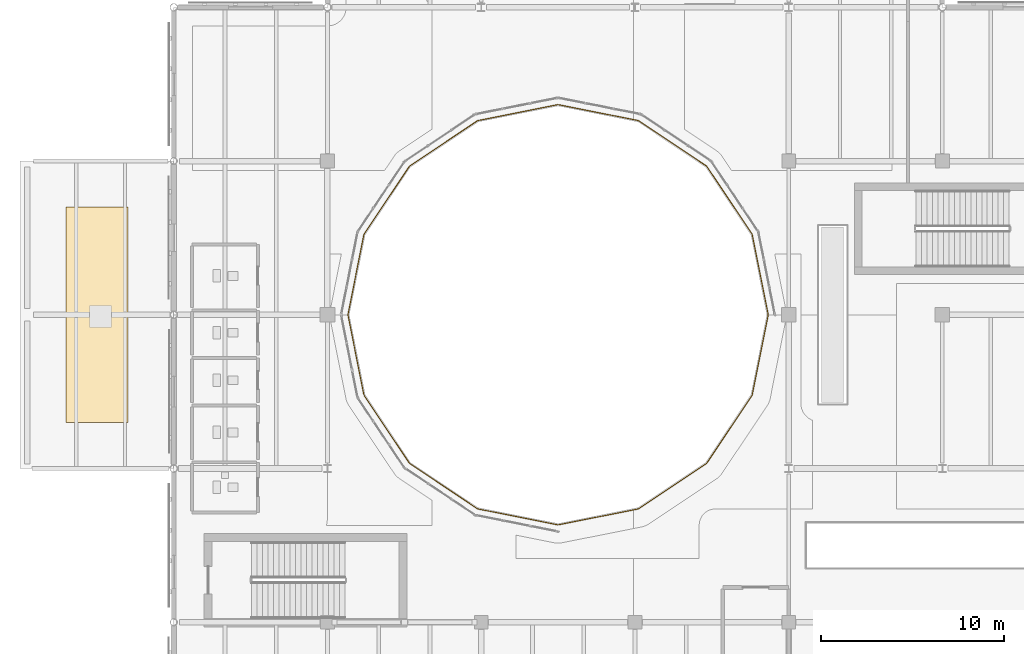
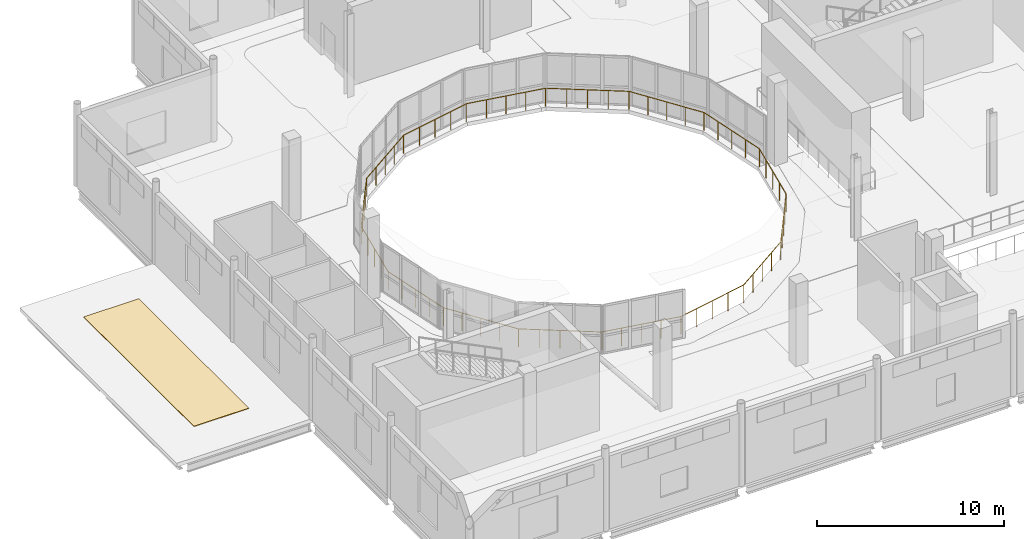
# One storey, part 95 of 110: 1 covering, 1 railing.
"""IFC4 building model written with IfcOpenShell, lengths in metres."""

from ifc_helpers import new_model, si_unit, direction, frame, origin, origin_2d, place, context, subcontext, project, spatial, polyline, circle, outline, extrude, material, layer, layer_set, type_object, element, save


model = new_model("IFC4")

# Units and contexts
model_context = context("Model", 3, precision=1e-05, world=origin(), true_north=direction((0.0, 1.0)))
body_context = subcontext(model_context, "Body", "Model", "MODEL_VIEW")
ifc_project = project(units=[si_unit("LENGTHUNIT", "METRE"), si_unit("AREAUNIT", "SQUARE_METRE"), si_unit("VOLUMEUNIT", "CUBIC_METRE"), si_unit("PLANEANGLEUNIT", "RADIAN"), si_unit("MASSUNIT", "GRAM", prefix="KILO"), si_unit("THERMODYNAMICTEMPERATUREUNIT", "KELVIN")], contexts=[model_context])

# Site, building, storey
site_placement = place(None, origin())
site = spatial("IfcSite", under=ifc_project, at=site_placement, CompositionType="ELEMENT")
building_placement = place(site_placement, origin())
building = spatial("IfcBuilding", under=site, at=building_placement, Name="Lustrewick Department Store", CompositionType="ELEMENT")
storey_placement = place(building_placement, frame((0.0, 0.0, 6.0)))
storey = spatial("IfcBuildingStorey", under=building, at=storey_placement, Name="L02", CompositionType="ELEMENT", Elevation=6.0)

# Covering
ifc_material_1 = material(Name="Single-ply TPO insulated roofing membrane", Category="plastic")
ifc_layer = layer(ifc_material_1, 0.034912109375, Name="Single-ply TPO insulated roofing membrane")
ifc_layer_set = layer_set([ifc_layer], Name="Single-ply TPO insulated roofing membrane")
covering_type = type_object("IfcCoveringType", Name="COV-ROOF", PredefinedType="ROOFING", material=ifc_layer_set)
covering_placement = place(storey_placement, origin())
element("IfcCovering", 1, at=covering_placement, inside=storey, type_object=covering_type, Name="L02 TPO Roof Membrane 07", PredefinedType="ROOFING", context=body_context, shape_type="SweptSolid", body=[
    extrude(outline(polyline([(5.89990234375, 73.10009765625), (2.5, 73.10009765625), (2.5, 61.300048828125), (5.89990234375, 61.300048828125), (5.89990234375, 73.10009765625)])), origin(), (0.0, 0.0, 1.0), 0.034912109375),
])

# Railing
ifc_material_2 = material(Name="Laminated safety glass and bronze atrium balustrade", Category="glass")
railing_type = type_object("IfcRailingType", Name="RL-BAL", PredefinedType="BALUSTRADE", material=ifc_material_2)
railing_placement = place(storey_placement, frame((40.87841796875, 67.184326171875, 0.0)))
element("IfcRailing", 2, at=railing_placement, inside=storey, type_object=railing_type, Name="L02 Atrium Void Balustrade 0013", PredefinedType="BALUSTRADE", context=body_context, shape_type="SweptSolid", body=[
    extrude(circle(Radius=0.02392578125, at=origin_2d()), frame((0.0, 0.0, 1.17578125), z_axis=(-0.195071045556, -0.980789114533, 0.0), x_axis=(0.980789114533, -0.195071045556, 0.0)), (0.0, 0.0, 1.0), 4.447998046875),
    extrude(circle(Radius=0.02392578125, at=origin_2d()), frame((-0.86767578125, -4.362548828125, 1.17578125), z_axis=(-0.249878019022, -0.968277323709, 0.0), x_axis=(0.968277323709, -0.249878019022, 0.0)), (0.0, 0.0, 1.0), 0.0078125),
    extrude(circle(Radius=0.02392578125, at=origin_2d()), frame((-0.86962890625, -4.3701171875, 1.17578125), z_axis=(-0.344254649158, -0.938876315887, 0.0), x_axis=(0.938876315887, -0.344254649158, 0.0)), (0.0, 0.0, 1.0), 0.0078125),
    extrude(circle(Radius=0.02392578125, at=origin_2d()), frame((-0.872314453125, -4.37744140625, 1.17578125), z_axis=(-0.434749065831, -0.900551636365, 0.0), x_axis=(0.900551636365, -0.434749065831, 0.0)), (0.0, 0.0, 1.0), 0.0078125),
    extrude(circle(Radius=0.02392578125, at=origin_2d()), frame((-0.875732421875, -4.384521484375, 1.17578125), z_axis=(-0.496138938357, -0.868243142124, 0.0), x_axis=(0.868243142124, -0.496138938357, 0.0)), (0.0, 0.0, 1.0), 0.0078125),
    extrude(circle(Radius=0.02392578125, at=origin_2d()), frame((-0.879638671875, -4.391357421875, 1.17578125), z_axis=(-0.555561194947, -0.831475651279, 0.0), x_axis=(0.831475651279, -0.555561194947, 0.0)), (0.0, 0.0, 1.0), 4.447998046875),
    extrude(circle(Radius=0.02392578125, at=origin_2d()), frame((-3.350830078125, -8.08984375, 1.17578125), z_axis=(-0.60971076085, -0.792623989105, 0.0), x_axis=(0.792623989105, -0.60971076085, 0.0)), (0.0, 0.0, 1.0), 0.008056640625),
    extrude(circle(Radius=0.02392578125, at=origin_2d()), frame((-3.355712890625, -8.09619140625, 1.17578125), z_axis=(-0.674269364021, -0.738485493928, 0.0), x_axis=(0.738485493928, -0.674269364021, 0.0)), (0.0, 0.0, 1.0), 0.007568359375),
    extrude(circle(Radius=0.02392578125, at=origin_2d()), frame((-3.36083984375, -8.101806640625, 1.17578125), z_axis=(-0.737154140201, -0.675724628517, 0.0), x_axis=(0.675724628517, -0.737154140201, 0.0)), (0.0, 0.0, 1.0), 0.008056640625),
    extrude(circle(Radius=0.02392578125, at=origin_2d()), frame((-3.36669921875, -8.107177734375, 1.17578125), z_axis=(-0.807391122258, -0.590016589342, 0.0), x_axis=(0.590016589342, -0.807391122258, 0.0)), (0.0, 0.0, 1.0), 0.0078125),
    extrude(circle(Radius=0.02392578125, at=origin_2d()), frame((-3.373046875, -8.11181640625, 1.17578125), z_axis=(-0.831475651279, -0.555561194947, 0.0), x_axis=(0.555561194947, -0.831475651279, 0.0)), (0.0, 0.0, 1.0), 4.447998046875),
    extrude(circle(Radius=0.02392578125, at=origin_2d()), frame((-7.071533203125, -10.5830078125, 1.17578125), z_axis=(-0.84623284009, -0.532813269686, 0.0), x_axis=(0.532813269686, -0.84623284009, 0.0)), (0.0, 0.0, 1.0), 0.0078125),
    extrude(circle(Radius=0.02392578125, at=origin_2d()), frame((-7.078125, -10.587158203125, 1.17578125), z_axis=(-0.912509324515, -0.409055904093, 0.0), x_axis=(0.409055904093, -0.912509324515, 0.0)), (0.0, 0.0, 1.0), 0.0078125),
    extrude(circle(Radius=0.02392578125, at=origin_2d()), frame((-7.085205078125, -10.59033203125, 1.17578125), z_axis=(-0.938876315887, -0.344254649158, 0.0), x_axis=(0.344254649158, -0.938876315887, 0.0)), (0.0, 0.0, 1.0), 0.0078125),
    extrude(circle(Radius=0.02392578125, at=origin_2d()), frame((-7.092529296875, -10.593017578125, 1.17578125), z_axis=(-0.968277323709, -0.249878019022, 0.0), x_axis=(0.249878019022, -0.968277323709, 0.0)), (0.0, 0.0, 1.0), 0.0078125),
    extrude(circle(Radius=0.02392578125, at=origin_2d()), frame((-7.10009765625, -10.594970703125, 1.17578125), z_axis=(-0.980780701472, -0.195113340444, 0.0), x_axis=(0.195113340444, -0.980780701472, 0.0)), (0.0, 0.0, 1.0), 4.4482421875),
    extrude(circle(Radius=0.02392578125, at=origin_2d()), frame((-11.462890625, -11.462890625, 1.17578125), z_axis=(-0.992277876714, -0.124034734589, 0.0), x_axis=(0.124034734589, -0.992277876714, 0.0)), (0.0, 0.0, 1.0), 0.0078125),
    extrude(circle(Radius=0.02392578125, at=origin_2d()), frame((-11.470703125, -11.4638671875, 1.17578125), z_axis=(-0.998052578483, -0.062378286155, 0.0), x_axis=(0.062378286155, -0.998052578483, 0.0)), (0.0, 0.0, 1.0), 0.0078125),
    extrude(circle(Radius=0.02392578125, at=origin_2d()), frame((-11.478515625, -11.46435546875, 1.17578125), z_axis=(-0.998052578483, 0.062378286155, 0.0), x_axis=(-0.062378286155, -0.998052578483, 0.0)), (0.0, 0.0, 1.0), 0.0078125),
    extrude(circle(Radius=0.02392578125, at=origin_2d()), frame((-11.486328125, -11.4638671875, 1.17578125), z_axis=(-0.991777866634, 0.12797133763, 0.0), x_axis=(-0.12797133763, -0.991777866634, 0.0)), (0.0, 0.0, 1.0), 0.007568359375),
    extrude(circle(Radius=0.02392578125, at=origin_2d()), frame((-11.493896484375, -11.462890625, 1.17578125), z_axis=(-0.980780701472, 0.195113340444, 0.0), x_axis=(-0.195113340444, -0.980780701472, 0.0)), (0.0, 0.0, 1.0), 4.4482421875),
    extrude(circle(Radius=0.02392578125, at=origin_2d()), frame((-15.856689453125, -10.594970703125, 1.17578125), z_axis=(-0.968277323709, 0.249878019022, 0.0), x_axis=(-0.249878019022, -0.968277323709, 0.0)), (0.0, 0.0, 1.0), 0.0078125),
    extrude(circle(Radius=0.02392578125, at=origin_2d()), frame((-15.8642578125, -10.593017578125, 1.17578125), z_axis=(-0.938876315887, 0.344254649158, 0.0), x_axis=(-0.344254649158, -0.938876315887, 0.0)), (0.0, 0.0, 1.0), 0.0078125),
    extrude(circle(Radius=0.02392578125, at=origin_2d()), frame((-15.87158203125, -10.59033203125, 1.17578125), z_axis=(-0.912509324515, 0.409055904093, 0.0), x_axis=(-0.409055904093, -0.912509324515, 0.0)), (0.0, 0.0, 1.0), 0.0078125),
    extrude(circle(Radius=0.02392578125, at=origin_2d()), frame((-15.878662109375, -10.587158203125, 1.17578125), z_axis=(-0.854787515222, 0.518978134242, 0.0), x_axis=(-0.518978134242, -0.854787515222, 0.0)), (0.0, 0.0, 1.0), 0.008056640625),
    extrude(circle(Radius=0.02392578125, at=origin_2d()), frame((-15.885498046875, -10.5830078125, 1.17578125), z_axis=(-0.831458709496, 0.555586549876, 0.0), x_axis=(-0.555586549876, -0.831458709496, 0.0)), (0.0, 0.0, 1.0), 4.447998046875),
    extrude(circle(Radius=0.02392578125, at=origin_2d()), frame((-19.583740234375, -8.11181640625, 1.17578125), z_axis=(-0.817806419301, 0.575493406175, 0.0), x_axis=(-0.575493406175, -0.817806419301, 0.0)), (0.0, 0.0, 1.0), 0.008056640625),
    extrude(circle(Radius=0.02392578125, at=origin_2d()), frame((-19.59033203125, -8.107177734375, 1.17578125), z_axis=(-0.722641857148, 0.691222645967, 0.0), x_axis=(-0.691222645967, -0.722641857148, 0.0)), (0.0, 0.0, 1.0), 0.0078125),
    extrude(circle(Radius=0.02392578125, at=origin_2d()), frame((-19.595947265625, -8.101806640625, 1.17578125), z_axis=(-0.691222645967, 0.722641857148, 0.0), x_axis=(-0.722641857148, -0.691222645967, 0.0)), (0.0, 0.0, 1.0), 0.0078125),
    extrude(circle(Radius=0.02392578125, at=origin_2d()), frame((-19.601318359375, -8.09619140625, 1.17578125), z_axis=(-0.590016589342, 0.807391122258, 0.0), x_axis=(-0.807391122258, -0.590016589342, 0.0)), (0.0, 0.0, 1.0), 0.0078125),
    extrude(circle(Radius=0.02392578125, at=origin_2d()), frame((-19.60595703125, -8.08984375, 1.17578125), z_axis=(-0.555561194947, 0.831475651279, 0.0), x_axis=(-0.831475651279, -0.555561194947, 0.0)), (0.0, 0.0, 1.0), 4.447998046875),
    extrude(circle(Radius=0.02392578125, at=origin_2d()), frame((-22.0771484375, -4.391357421875, 1.17578125), z_axis=(-0.518978134242, 0.854787515222, 0.0), x_axis=(-0.854787515222, -0.518978134242, 0.0)), (0.0, 0.0, 1.0), 0.008056640625),
    extrude(circle(Radius=0.02392578125, at=origin_2d()), frame((-22.081298828125, -4.384521484375, 1.17578125), z_axis=(-0.409055904093, 0.912509324515, 0.0), x_axis=(-0.912509324515, -0.409055904093, 0.0)), (0.0, 0.0, 1.0), 0.0078125),
    extrude(circle(Radius=0.02392578125, at=origin_2d()), frame((-22.08447265625, -4.37744140625, 1.17578125), z_axis=(-0.344254649158, 0.938876315887, 0.0), x_axis=(-0.938876315887, -0.344254649158, 0.0)), (0.0, 0.0, 1.0), 0.0078125),
    extrude(circle(Radius=0.02392578125, at=origin_2d()), frame((-22.087158203125, -4.3701171875, 1.17578125), z_axis=(-0.249878019022, 0.968277323709, 0.0), x_axis=(-0.968277323709, -0.249878019022, 0.0)), (0.0, 0.0, 1.0), 0.0078125),
    extrude(circle(Radius=0.02392578125, at=origin_2d()), frame((-22.089111328125, -4.362548828125, 1.17578125), z_axis=(-0.195123843826, 0.980778611905, 0.0), x_axis=(-0.980778611905, -0.195123843826, 0.0)), (0.0, 0.0, 1.0), 4.447998046875),
    extrude(circle(Radius=0.02392578125, at=origin_2d()), frame((-22.95703125, 0.0, 1.17578125), z_axis=(-0.124034734589, 0.992277876714, 0.0), x_axis=(-0.992277876714, -0.124034734589, 0.0)), (0.0, 0.0, 1.0), 0.0078125),
    extrude(circle(Radius=0.02392578125, at=origin_2d()), frame((-22.9580078125, 0.0078125, 1.17578125), z_axis=(-0.062378286155, 0.998052578483, 0.0), x_axis=(-0.998052578483, -0.062378286155, 0.0)), (0.0, 0.0, 1.0), 0.0078125),
    extrude(circle(Radius=0.02392578125, at=origin_2d()), frame((-22.95849609375, 0.015625, 1.17578125), z_axis=(0.062378286155, 0.998052578483, 0.0), x_axis=(-0.998052578483, 0.062378286155, 0.0)), (0.0, 0.0, 1.0), 0.0078125),
    extrude(circle(Radius=0.02392578125, at=origin_2d()), frame((-22.9580078125, 0.0234375, 1.17578125), z_axis=(0.124034734589, 0.992277876714, 0.0), x_axis=(-0.992277876714, 0.124034734589, 0.0)), (0.0, 0.0, 1.0), 0.0078125),
    extrude(circle(Radius=0.02392578125, at=origin_2d()), frame((-22.95703125, 0.03125, 1.17578125), z_axis=(0.195123843826, 0.980778611905, 0.0), x_axis=(-0.980778611905, 0.195123843826, 0.0)), (0.0, 0.0, 1.0), 4.447998046875),
    extrude(circle(Radius=0.02392578125, at=origin_2d()), frame((-22.089111328125, 4.393798828125, 1.17578125), z_axis=(0.249878019022, 0.968277323709, 0.0), x_axis=(-0.968277323709, 0.249878019022, 0.0)), (0.0, 0.0, 1.0), 0.0078125),
    extrude(circle(Radius=0.02392578125, at=origin_2d()), frame((-22.087158203125, 4.4013671875, 1.17578125), z_axis=(0.334409845171, 0.942427745481, 0.0), x_axis=(-0.942427745481, 0.334409845171, 0.0)), (0.0, 0.0, 1.0), 0.008056640625),
    extrude(circle(Radius=0.02392578125, at=origin_2d()), frame((-22.08447265625, 4.408935546875, 1.17578125), z_axis=(0.409055904093, 0.912509324515, 0.0), x_axis=(-0.912509324515, 0.409055904093, 0.0)), (0.0, 0.0, 1.0), 0.0078125),
    extrude(circle(Radius=0.02392578125, at=origin_2d()), frame((-22.081298828125, 4.416015625, 1.17578125), z_axis=(0.532813269686, 0.84623284009, 0.0), x_axis=(-0.84623284009, 0.532813269686, 0.0)), (0.0, 0.0, 1.0), 0.0078125),
    extrude(circle(Radius=0.02392578125, at=origin_2d()), frame((-22.0771484375, 4.422607421875, 1.17578125), z_axis=(0.555561194947, 0.831475651279, 0.0), x_axis=(-0.831475651279, 0.555561194947, 0.0)), (0.0, 0.0, 1.0), 4.447998046875),
    extrude(circle(Radius=0.02392578125, at=origin_2d()), frame((-19.60595703125, 8.12109375, 1.17578125), z_axis=(0.590016589342, 0.807391122258, 0.0), x_axis=(-0.807391122258, 0.590016589342, 0.0)), (0.0, 0.0, 1.0), 0.0078125),
    extrude(circle(Radius=0.02392578125, at=origin_2d()), frame((-19.601318359375, 8.12744140625, 1.17578125), z_axis=(0.675724628517, 0.737154140201, 0.0), x_axis=(-0.737154140201, 0.675724628517, 0.0)), (0.0, 0.0, 1.0), 0.008056640625),
    extrude(circle(Radius=0.02392578125, at=origin_2d()), frame((-19.595947265625, 8.13330078125, 1.17578125), z_axis=(0.738485493928, 0.674269364021, 0.0), x_axis=(-0.674269364021, 0.738485493928, 0.0)), (0.0, 0.0, 1.0), 0.007568359375),
    extrude(circle(Radius=0.02392578125, at=origin_2d()), frame((-19.59033203125, 8.138427734375, 1.17578125), z_axis=(0.817806419301, 0.575493406175, 0.0), x_axis=(-0.575493406175, 0.817806419301, 0.0)), (0.0, 0.0, 1.0), 0.008056640625),
    extrude(circle(Radius=0.02392578125, at=origin_2d()), frame((-19.583740234375, 8.14306640625, 1.17578125), z_axis=(0.831458709496, 0.555586549876, 0.0), x_axis=(-0.555586549876, 0.831458709496, 0.0)), (0.0, 0.0, 1.0), 4.447998046875),
    extrude(circle(Radius=0.02392578125, at=origin_2d()), frame((-15.885498046875, 10.6142578125, 1.17578125), z_axis=(0.854787515222, 0.518978134242, 0.0), x_axis=(-0.518978134242, 0.854787515222, 0.0)), (0.0, 0.0, 1.0), 0.008056640625),
    extrude(circle(Radius=0.02392578125, at=origin_2d()), frame((-15.878662109375, 10.618408203125, 1.17578125), z_axis=(0.900551636365, 0.434749065831, 0.0), x_axis=(-0.434749065831, 0.900551636365, 0.0)), (0.0, 0.0, 1.0), 0.0078125),
    extrude(circle(Radius=0.02392578125, at=origin_2d()), frame((-15.87158203125, 10.621826171875, 1.17578125), z_axis=(0.938876315887, 0.344254649158, 0.0), x_axis=(-0.344254649158, 0.938876315887, 0.0)), (0.0, 0.0, 1.0), 0.0078125),
    extrude(circle(Radius=0.02392578125, at=origin_2d()), frame((-15.8642578125, 10.62451171875, 1.17578125), z_axis=(0.968277323709, 0.249878019022, 0.0), x_axis=(-0.249878019022, 0.968277323709, 0.0)), (0.0, 0.0, 1.0), 0.0078125),
    extrude(circle(Radius=0.02392578125, at=origin_2d()), frame((-15.856689453125, 10.62646484375, 1.17578125), z_axis=(0.980791202991, 0.195060544792, 0.0), x_axis=(-0.195060544792, 0.980791202991, 0.0)), (0.0, 0.0, 1.0), 4.4482421875),
    extrude(circle(Radius=0.02392578125, at=origin_2d()), frame((-11.493896484375, 11.494140625, 1.17578125), z_axis=(0.987241120713, 0.159232438825, 0.0), x_axis=(-0.159232438825, 0.987241120713, 0.0)), (0.0, 0.0, 1.0), 0.007568359375),
    extrude(circle(Radius=0.02392578125, at=origin_2d()), frame((-11.486328125, 11.495361328125, 1.17578125), z_axis=(0.999512076087, 0.031234752378, 0.0), x_axis=(-0.031234752378, 0.999512076087, 0.0)), (0.0, 0.0, 1.0), 0.0078125),
    extrude(circle(Radius=0.02392578125, at=origin_2d()), frame((-11.478515625, 11.49560546875, 1.17578125), z_axis=(0.999512076087, -0.031234752378, 0.0), x_axis=(0.031234752378, 0.999512076087, 0.0)), (0.0, 0.0, 1.0), 0.0078125),
    extrude(circle(Radius=0.02392578125, at=origin_2d()), frame((-11.470703125, 11.495361328125, 1.17578125), z_axis=(0.988012033751, -0.154376880274, 0.0), x_axis=(0.154376880274, 0.988012033751, 0.0)), (0.0, 0.0, 1.0), 0.0078125),
    extrude(circle(Radius=0.02392578125, at=origin_2d()), frame((-11.462890625, 11.494140625, 1.17578125), z_axis=(0.980791202991, -0.195060544792, 0.0), x_axis=(0.195060544792, 0.980791202991, 0.0)), (0.0, 0.0, 1.0), 4.4482421875),
    extrude(circle(Radius=0.02392578125, at=origin_2d()), frame((-7.10009765625, 10.62646484375, 1.17578125), z_axis=(0.968277323709, -0.249878019022, 0.0), x_axis=(0.249878019022, 0.968277323709, 0.0)), (0.0, 0.0, 1.0), 0.0078125),
    extrude(circle(Radius=0.02392578125, at=origin_2d()), frame((-7.092529296875, 10.62451171875, 1.17578125), z_axis=(0.938876315887, -0.344254649158, 0.0), x_axis=(0.344254649158, 0.938876315887, 0.0)), (0.0, 0.0, 1.0), 0.0078125),
    extrude(circle(Radius=0.02392578125, at=origin_2d()), frame((-7.085205078125, 10.621826171875, 1.17578125), z_axis=(0.900551636365, -0.434749065831, 0.0), x_axis=(0.434749065831, 0.900551636365, 0.0)), (0.0, 0.0, 1.0), 0.0078125),
    extrude(circle(Radius=0.02392578125, at=origin_2d()), frame((-7.078125, 10.618408203125, 1.17578125), z_axis=(0.84623284009, -0.532813269686, 0.0), x_axis=(0.532813269686, 0.84623284009, 0.0)), (0.0, 0.0, 1.0), 0.0078125),
    extrude(circle(Radius=0.02392578125, at=origin_2d()), frame((-7.071533203125, 10.6142578125, 1.17578125), z_axis=(0.831475651279, -0.555561194947, 0.0), x_axis=(0.555561194947, 0.831475651279, 0.0)), (0.0, 0.0, 1.0), 4.447998046875),
    extrude(circle(Radius=0.02392578125, at=origin_2d()), frame((-3.373046875, 8.14306640625, 1.17578125), z_axis=(0.807391122258, -0.590016589342, 0.0), x_axis=(0.590016589342, 0.807391122258, 0.0)), (0.0, 0.0, 1.0), 0.0078125),
    extrude(circle(Radius=0.02392578125, at=origin_2d()), frame((-3.36669921875, 8.138427734375, 1.17578125), z_axis=(0.752576694707, -0.658504607869, 0.0), x_axis=(0.658504607869, 0.752576694707, 0.0)), (0.0, 0.0, 1.0), 0.0078125),
    extrude(circle(Radius=0.02392578125, at=origin_2d()), frame((-3.36083984375, 8.13330078125, 1.17578125), z_axis=(0.658504607869, -0.752576694707, 0.0), x_axis=(0.752576694707, 0.658504607869, 0.0)), (0.0, 0.0, 1.0), 0.0078125),
    extrude(circle(Radius=0.02392578125, at=origin_2d()), frame((-3.355712890625, 8.12744140625, 1.17578125), z_axis=(0.60971076085, -0.792623989105, 0.0), x_axis=(0.792623989105, 0.60971076085, 0.0)), (0.0, 0.0, 1.0), 0.008056640625),
    extrude(circle(Radius=0.02392578125, at=origin_2d()), frame((-3.350830078125, 8.12109375, 1.17578125), z_axis=(0.555561194947, -0.831475651279, 0.0), x_axis=(0.831475651279, 0.555561194947, 0.0)), (0.0, 0.0, 1.0), 4.447998046875),
    extrude(circle(Radius=0.02392578125, at=origin_2d()), frame((-0.879638671875, 4.422607421875, 1.17578125), z_axis=(0.509802390302, -0.860291533634, 0.0), x_axis=(0.860291533634, 0.509802390302, 0.0)), (0.0, 0.0, 1.0), 0.007568359375),
    extrude(circle(Radius=0.02392578125, at=origin_2d()), frame((-0.875732421875, 4.416015625, 1.17578125), z_axis=(0.434749065831, -0.900551636365, 0.0), x_axis=(0.900551636365, 0.434749065831, 0.0)), (0.0, 0.0, 1.0), 0.0078125),
    extrude(circle(Radius=0.02392578125, at=origin_2d()), frame((-0.872314453125, 4.408935546875, 1.17578125), z_axis=(0.334409845171, -0.942427745481, 0.0), x_axis=(0.942427745481, 0.334409845171, 0.0)), (0.0, 0.0, 1.0), 0.008056640625),
    extrude(circle(Radius=0.02392578125, at=origin_2d()), frame((-0.86962890625, 4.4013671875, 1.17578125), z_axis=(0.249878019022, -0.968277323709, 0.0), x_axis=(0.968277323709, 0.249878019022, 0.0)), (0.0, 0.0, 1.0), 0.0078125),
    extrude(circle(Radius=0.02392578125, at=origin_2d()), frame((-0.86767578125, 4.393798828125, 1.17578125), z_axis=(0.195071045556, -0.980789114533, 0.0), x_axis=(0.980789114533, 0.195071045556, 0.0)), (0.0, 0.0, 1.0), 4.447998046875),
    extrude(circle(Radius=0.02392578125, at=origin_2d()), frame((0.0, 0.03125, 1.17578125), z_axis=(0.154376880274, -0.988012033751, 0.0), x_axis=(0.988012033751, 0.154376880274, 0.0)), (0.0, 0.0, 1.0), 0.0078125),
    extrude(circle(Radius=0.02392578125, at=origin_2d()), frame((0.001220703125, 0.0234375, 1.17578125), z_axis=(0.031234752378, -0.999512076087, 0.0), x_axis=(0.999512076087, 0.031234752378, 0.0)), (0.0, 0.0, 1.0), 0.0078125),
    extrude(circle(Radius=0.02392578125, at=origin_2d()), frame((0.00146484375, 0.015625, 1.17578125), z_axis=(-0.031234752378, -0.999512076087, 0.0), x_axis=(0.999512076087, -0.031234752378, 0.0)), (0.0, 0.0, 1.0), 0.0078125),
    extrude(circle(Radius=0.02392578125, at=origin_2d()), frame((0.001220703125, 0.0078125, 1.17578125), z_axis=(-0.154376880274, -0.988012033751, 0.0), x_axis=(0.988012033751, -0.154376880274, 0.0)), (0.0, 0.0, 1.0), 0.0078125),
    extrude(circle(Radius=0.02099609375, at=origin_2d()), origin(), (0.0, 0.0, 1.0), 1.15185546875),
    extrude(circle(Radius=0.02099609375, at=origin_2d()), frame((-0.216796875, -1.090576171875, 0.0)), (0.0, 0.0, 1.0), 1.15185546875),
    extrude(circle(Radius=0.02099609375, at=origin_2d()), frame((-0.433837890625, -2.18115234375, 0.0)), (0.0, 0.0, 1.0), 1.15185546875),
    extrude(circle(Radius=0.02099609375, at=origin_2d()), frame((-0.65087890625, -3.27197265625, 0.0)), (0.0, 0.0, 1.0), 1.15185546875),
    extrude(circle(Radius=0.02099609375, at=origin_2d()), frame((-0.86767578125, -4.362548828125, 0.0)), (0.0, 0.0, 1.0), 1.15185546875),
    extrude(circle(Radius=0.02099609375, at=origin_2d()), frame((-1.49755859375, -5.31591796875, 0.0)), (0.0, 0.0, 1.0), 1.15185546875),
    extrude(circle(Radius=0.02099609375, at=origin_2d()), frame((-2.115234375, -6.24072265625, 0.0)), (0.0, 0.0, 1.0), 1.15185546875),
    extrude(circle(Radius=0.02099609375, at=origin_2d()), frame((-2.73291015625, -7.165283203125, 0.0)), (0.0, 0.0, 1.0), 1.15185546875),
    extrude(circle(Radius=0.02099609375, at=origin_2d()), frame((-3.350830078125, -8.08984375, 0.0)), (0.0, 0.0, 1.0), 1.15185546875),
    extrude(circle(Radius=0.02099609375, at=origin_2d()), frame((-4.297607421875, -8.7294921875, 0.0)), (0.0, 0.0, 1.0), 1.15185546875),
    extrude(circle(Radius=0.02099609375, at=origin_2d()), frame((-5.22216796875, -9.347412109375, 0.0)), (0.0, 0.0, 1.0), 1.15185546875),
    extrude(circle(Radius=0.02099609375, at=origin_2d()), frame((-6.14697265625, -9.96533203125, 0.0)), (0.0, 0.0, 1.0), 1.15185546875),
    extrude(circle(Radius=0.02099609375, at=origin_2d()), frame((-7.071533203125, -10.5830078125, 0.0)), (0.0, 0.0, 1.0), 1.15185546875),
    extrude(circle(Radius=0.02099609375, at=origin_2d()), frame((-8.19091796875, -10.81201171875, 0.0)), (0.0, 0.0, 1.0), 1.15185546875),
    extrude(circle(Radius=0.02099609375, at=origin_2d()), frame((-9.281494140625, -11.02880859375, 0.0)), (0.0, 0.0, 1.0), 1.15185546875),
    extrude(circle(Radius=0.02099609375, at=origin_2d()), frame((-10.3720703125, -11.245849609375, 0.0)), (0.0, 0.0, 1.0), 1.15185546875),
    extrude(circle(Radius=0.02099609375, at=origin_2d()), frame((-11.462890625, -11.462890625, 0.0)), (0.0, 0.0, 1.0), 1.15185546875),
    extrude(circle(Radius=0.02099609375, at=origin_2d()), frame((-12.58447265625, -11.245849609375, 0.0)), (0.0, 0.0, 1.0), 1.15185546875),
    extrude(circle(Radius=0.02099609375, at=origin_2d()), frame((-13.67529296875, -11.02880859375, 0.0)), (0.0, 0.0, 1.0), 1.15185546875),
    extrude(circle(Radius=0.02099609375, at=origin_2d()), frame((-14.76611328125, -10.81201171875, 0.0)), (0.0, 0.0, 1.0), 1.15185546875),
    extrude(circle(Radius=0.02099609375, at=origin_2d()), frame((-15.856689453125, -10.594970703125, 0.0)), (0.0, 0.0, 1.0), 1.15185546875),
    extrude(circle(Radius=0.02099609375, at=origin_2d()), frame((-16.81005859375, -9.96533203125, 0.0)), (0.0, 0.0, 1.0), 1.15185546875),
    extrude(circle(Radius=0.02099609375, at=origin_2d()), frame((-17.734619140625, -9.347412109375, 0.0)), (0.0, 0.0, 1.0), 1.15185546875),
    extrude(circle(Radius=0.02099609375, at=origin_2d()), frame((-18.6591796875, -8.7294921875, 0.0)), (0.0, 0.0, 1.0), 1.15185546875),
    extrude(circle(Radius=0.02099609375, at=origin_2d()), frame((-19.583740234375, -8.11181640625, 0.0)), (0.0, 0.0, 1.0), 1.15185546875),
    extrude(circle(Radius=0.02099609375, at=origin_2d()), frame((-20.2236328125, -7.165283203125, 0.0)), (0.0, 0.0, 1.0), 1.15185546875),
    extrude(circle(Radius=0.02099609375, at=origin_2d()), frame((-20.841552734375, -6.24072265625, 0.0)), (0.0, 0.0, 1.0), 1.15185546875),
    extrude(circle(Radius=0.02099609375, at=origin_2d()), frame((-21.45947265625, -5.31591796875, 0.0)), (0.0, 0.0, 1.0), 1.15185546875),
    extrude(circle(Radius=0.02099609375, at=origin_2d()), frame((-22.0771484375, -4.391357421875, 0.0)), (0.0, 0.0, 1.0), 1.15185546875),
    extrude(circle(Radius=0.02099609375, at=origin_2d()), frame((-22.30615234375, -3.27197265625, 0.0)), (0.0, 0.0, 1.0), 1.15185546875),
    extrude(circle(Radius=0.02099609375, at=origin_2d()), frame((-22.52294921875, -2.18115234375, 0.0)), (0.0, 0.0, 1.0), 1.15185546875),
    extrude(circle(Radius=0.02099609375, at=origin_2d()), frame((-22.739990234375, -1.090576171875, 0.0)), (0.0, 0.0, 1.0), 1.15185546875),
    extrude(circle(Radius=0.02099609375, at=origin_2d()), frame((-22.95703125, 0.0, 0.0)), (0.0, 0.0, 1.0), 1.15185546875),
    extrude(circle(Radius=0.02099609375, at=origin_2d()), frame((-22.739990234375, 1.121826171875, 0.0)), (0.0, 0.0, 1.0), 1.15185546875),
    extrude(circle(Radius=0.02099609375, at=origin_2d()), frame((-22.52294921875, 2.21240234375, 0.0)), (0.0, 0.0, 1.0), 1.15185546875),
    extrude(circle(Radius=0.02099609375, at=origin_2d()), frame((-22.30615234375, 3.30322265625, 0.0)), (0.0, 0.0, 1.0), 1.15185546875),
    extrude(circle(Radius=0.02099609375, at=origin_2d()), frame((-22.089111328125, 4.393798828125, 0.0)), (0.0, 0.0, 1.0), 1.15185546875),
    extrude(circle(Radius=0.02099609375, at=origin_2d()), frame((-21.45947265625, 5.34716796875, 0.0)), (0.0, 0.0, 1.0), 1.15185546875),
    extrude(circle(Radius=0.02099609375, at=origin_2d()), frame((-20.841552734375, 6.27197265625, 0.0)), (0.0, 0.0, 1.0), 1.15185546875),
    extrude(circle(Radius=0.02099609375, at=origin_2d()), frame((-20.2236328125, 7.196533203125, 0.0)), (0.0, 0.0, 1.0), 1.15185546875),
    extrude(circle(Radius=0.02099609375, at=origin_2d()), frame((-19.60595703125, 8.12109375, 0.0)), (0.0, 0.0, 1.0), 1.15185546875),
    extrude(circle(Radius=0.02099609375, at=origin_2d()), frame((-18.6591796875, 8.7607421875, 0.0)), (0.0, 0.0, 1.0), 1.15185546875),
    extrude(circle(Radius=0.02099609375, at=origin_2d()), frame((-17.734619140625, 9.378662109375, 0.0)), (0.0, 0.0, 1.0), 1.15185546875),
    extrude(circle(Radius=0.02099609375, at=origin_2d()), frame((-16.81005859375, 9.99658203125, 0.0)), (0.0, 0.0, 1.0), 1.15185546875),
    extrude(circle(Radius=0.02099609375, at=origin_2d()), frame((-15.885498046875, 10.6142578125, 0.0)), (0.0, 0.0, 1.0), 1.15185546875),
    extrude(circle(Radius=0.02099609375, at=origin_2d()), frame((-14.76611328125, 10.84326171875, 0.0)), (0.0, 0.0, 1.0), 1.15185546875),
    extrude(circle(Radius=0.02099609375, at=origin_2d()), frame((-13.67529296875, 11.060302734375, 0.0)), (0.0, 0.0, 1.0), 1.15185546875),
    extrude(circle(Radius=0.02099609375, at=origin_2d()), frame((-12.58447265625, 11.27734375, 0.0)), (0.0, 0.0, 1.0), 1.15185546875),
    extrude(circle(Radius=0.02099609375, at=origin_2d()), frame((-11.493896484375, 11.494140625, 0.0)), (0.0, 0.0, 1.0), 1.15185546875),
    extrude(circle(Radius=0.02099609375, at=origin_2d()), frame((-10.3720703125, 11.27734375, 0.0)), (0.0, 0.0, 1.0), 1.15185546875),
    extrude(circle(Radius=0.02099609375, at=origin_2d()), frame((-9.281494140625, 11.060302734375, 0.0)), (0.0, 0.0, 1.0), 1.15185546875),
    extrude(circle(Radius=0.02099609375, at=origin_2d()), frame((-8.19091796875, 10.84326171875, 0.0)), (0.0, 0.0, 1.0), 1.15185546875),
    extrude(circle(Radius=0.02099609375, at=origin_2d()), frame((-7.10009765625, 10.62646484375, 0.0)), (0.0, 0.0, 1.0), 1.15185546875),
    extrude(circle(Radius=0.02099609375, at=origin_2d()), frame((-6.14697265625, 9.99658203125, 0.0)), (0.0, 0.0, 1.0), 1.15185546875),
    extrude(circle(Radius=0.02099609375, at=origin_2d()), frame((-5.22216796875, 9.378662109375, 0.0)), (0.0, 0.0, 1.0), 1.15185546875),
    extrude(circle(Radius=0.02099609375, at=origin_2d()), frame((-4.297607421875, 8.7607421875, 0.0)), (0.0, 0.0, 1.0), 1.15185546875),
    extrude(circle(Radius=0.02099609375, at=origin_2d()), frame((-3.373046875, 8.14306640625, 0.0)), (0.0, 0.0, 1.0), 1.15185546875),
    extrude(circle(Radius=0.02099609375, at=origin_2d()), frame((-2.73291015625, 7.196533203125, 0.0)), (0.0, 0.0, 1.0), 1.15185546875),
    extrude(circle(Radius=0.02099609375, at=origin_2d()), frame((-2.115234375, 6.27197265625, 0.0)), (0.0, 0.0, 1.0), 1.15185546875),
    extrude(circle(Radius=0.02099609375, at=origin_2d()), frame((-1.49755859375, 5.34716796875, 0.0)), (0.0, 0.0, 1.0), 1.15185546875),
    extrude(circle(Radius=0.02099609375, at=origin_2d()), frame((-0.879638671875, 4.422607421875, 0.0)), (0.0, 0.0, 1.0), 1.15185546875),
    extrude(circle(Radius=0.02099609375, at=origin_2d()), frame((-0.65087890625, 3.30322265625, 0.0)), (0.0, 0.0, 1.0), 1.15185546875),
    extrude(circle(Radius=0.02099609375, at=origin_2d()), frame((-0.433837890625, 2.21240234375, 0.0)), (0.0, 0.0, 1.0), 1.15185546875),
    extrude(circle(Radius=0.02099609375, at=origin_2d()), frame((-0.216796875, 1.121826171875, 0.0)), (0.0, 0.0, 1.0), 1.15185546875),
])

save(model, "model.ifc")
